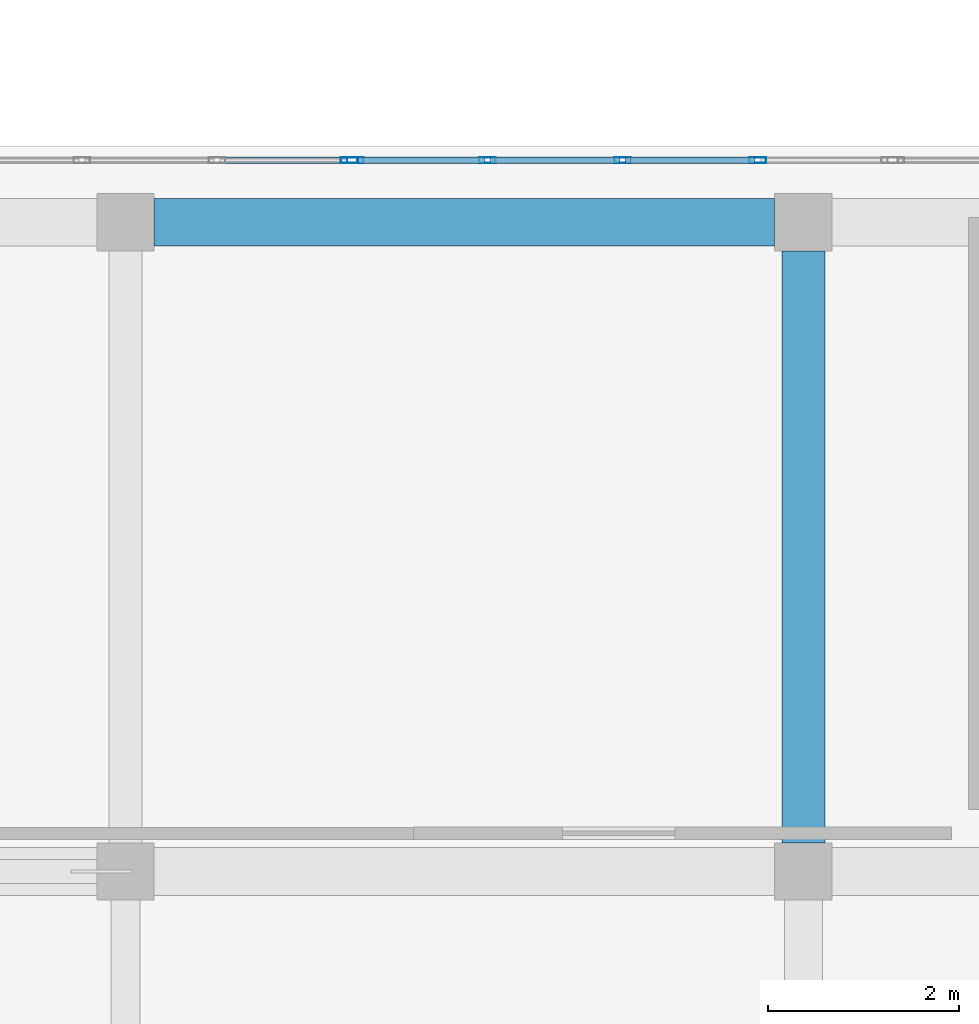
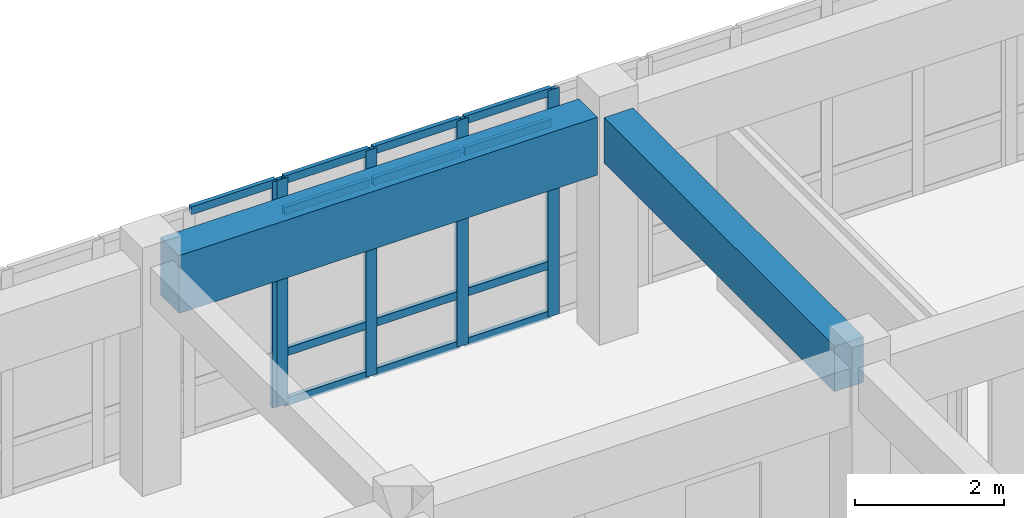
# One storey, part 9 of 52: 18 members, 2 beams, 2 elements without a shape of their own.
"""IFC4 building model written with IfcOpenShell, lengths in metres."""

from ifc_helpers import new_model, si_unit, direction, frame, origin, origin_2d, place, context, subcontext, project, spatial, rectangle, hollow_rectangle, extrude, material, layer, layer_set, material_profile, profile_set, type_object, element, aggregate, save


model = new_model("IFC4")

# Units and contexts
model_context = context("Model", 3, precision=1e-05, world=origin(), true_north=direction((0.0, 1.0)))
body_context = subcontext(model_context, "Body", "Model", "MODEL_VIEW")
ifc_project = project(units=[si_unit("LENGTHUNIT", "METRE"), si_unit("AREAUNIT", "SQUARE_METRE"), si_unit("VOLUMEUNIT", "CUBIC_METRE"), si_unit("PLANEANGLEUNIT", "RADIAN"), si_unit("MASSUNIT", "GRAM", prefix="KILO")], contexts=[model_context])

# Site, building, storey
site_placement = place(None, origin())
site = spatial("IfcSite", under=ifc_project, at=site_placement, CompositionType="ELEMENT")
building_placement = place(site_placement, origin())
building = spatial("IfcBuilding", under=site, at=building_placement, Name="Valcora Specialist Clinic", CompositionType="ELEMENT")
storey_placement = place(building_placement, frame((0.0, 0.0, 17.679931640625)))
storey = spatial("IfcBuildingStorey", under=building, at=storey_placement, Name="L04", CompositionType="ELEMENT", Elevation=17.679931640625)

# Beams
ifc_material_1 = material(Name="Concrete C40/50", Category="concrete")
ifc_material_profile_1 = material_profile(ifc_material_1, rectangle(XDim=0.449951171875, YDim=0.75, at=origin_2d()), Name="RC-BM-450X750")
ifc_profile_set_1 = profile_set([ifc_material_profile_1], Name="Concrete C40/50")
beam_type_1 = type_object("IfcBeamType", Name="TY-BM-RC450X750", PredefinedType="BEAM", material=ifc_profile_set_1)
beam_1_placement = place(storey_placement, frame((16.199951171875, 15.5, 3.344970703125), z_axis=(0.0, 1.0, 0.0), x_axis=(-1.0, 0.0, 0.0)))
element("IfcBeam", 1, at=beam_1_placement, inside=storey, type_object=beam_type_1, Name="Beam BM-L04-1101", PredefinedType="BEAM", context=body_context, shape_type="SweptSolid", body=[
    extrude(rectangle(XDim=0.449951171875, YDim=0.75, at=origin_2d()), origin(), (0.0, 0.0, 1.0), 6.199951171875),
])
ifc_material_profile_2 = material_profile(ifc_material_1, rectangle(XDim=0.5, YDim=0.949951171875, at=origin_2d()), Name="RC-BM-500X950")
ifc_profile_set_2 = profile_set([ifc_material_profile_2], Name="Concrete C40/50")
beam_type_2 = type_object("IfcBeamType", Name="TY-BM-TR500X950", PredefinedType="BEAM", material=ifc_profile_set_2)
beam_2_placement = place(storey_placement, frame((9.39990234375, 22.0, 3.2451171875), z_axis=(1.0, 0.0, 0.0), x_axis=(0.0, 1.0, 0.0)))
element("IfcBeam", 2, at=beam_2_placement, inside=storey, type_object=beam_type_2, Name="Beam BM-L04-1090", PredefinedType="BEAM", context=body_context, shape_type="SweptSolid", body=[
    extrude(rectangle(XDim=0.5, YDim=0.949951171875, at=origin_2d()), origin(), (0.0, 0.0, 1.0), 6.5),
])

# Curtain wall, member
ifc_material_2 = material(Name="Anodized Bronze Aluminium 6063-T6", Category="aluminium")
ifc_layer = layer(ifc_material_2, 0.175048828125)
ifc_layer_set = layer_set([ifc_layer], Name="Anodized Bronze Aluminium 6063-T6")
curtain_wall_type = type_object("IfcCurtainWallType", Name="TY-CW-V5F15", PredefinedType="NOTDEFINED", material=ifc_layer_set)
curtain_wall_1_placement = place(storey_placement, origin())
curtain_wall_1 = element("IfcCurtainWall", 3, at=curtain_wall_1_placement, inside=storey, type_object=curtain_wall_type, Name="Curtain wall CW-L04-168", PredefinedType="NOTDEFINED")
ifc_material_profile_3 = material_profile(ifc_material_2, hollow_rectangle(XDim=0.06494140625, YDim=0.175048828125, WallThickness=0.00390625, at=origin_2d()), Name="AL-MUL-65X175")
ifc_profile_set_3 = profile_set([ifc_material_profile_3], Name="Anodized Bronze Aluminium 6063-T6")
member_type_1 = type_object("IfcMemberType", Name="TY-CWM-65X175", PredefinedType="MULLION", material=ifc_profile_set_3)
member_1_placement = place(storey_placement, frame((11.4423828125, 22.64990234375, 0.0), z_axis=(0.0, 0.0, 1.0), x_axis=(0.0, 1.0, 0.0)))
member_1 = element("IfcMember", 4, at=member_1_placement, type_object=member_type_1, Name="CW-V5F-15 mullion 5", PredefinedType="MULLION", context=body_context, shape_type="SweptSolid", body=[
    extrude(hollow_rectangle(XDim=0.06494140625, YDim=0.175048828125, WallThickness=0.00390625, at=origin_2d()), origin(), (0.0, 0.0, 1.0), 3.719970703125),
])

# Curtain wall, members
curtain_wall_2_placement = place(storey_placement, origin())
curtain_wall_2 = element("IfcCurtainWall", 5, at=curtain_wall_2_placement, inside=storey, type_object=curtain_wall_type, Name="Curtain wall CW-L04-169", PredefinedType="NOTDEFINED")
member_2_placement = place(storey_placement, frame((11.507568359375, 22.64990234375, 0.0), z_axis=(0.0, 0.0, 1.0), x_axis=(0.0, 1.0, 0.0)))
member_2 = element("IfcMember", 6, at=member_2_placement, type_object=member_type_1, Name="CW-V5F-15 mullion 1", PredefinedType="MULLION", context=body_context, shape_type="SweptSolid", body=[
    extrude(hollow_rectangle(XDim=0.06494140625, YDim=0.175048828125, WallThickness=0.00390625, at=origin_2d()), origin(), (0.0, 0.0, 1.0), 3.719970703125),
])
member_3_placement = place(storey_placement, frame((12.890625, 22.64990234375, 0.0), z_axis=(0.0, 0.0, 1.0), x_axis=(0.0, 1.0, 0.0)))
member_3 = element("IfcMember", 7, at=member_3_placement, type_object=member_type_1, Name="CW-V5F-15 mullion 2", PredefinedType="MULLION", context=body_context, shape_type="SweptSolid", body=[
    extrude(hollow_rectangle(XDim=0.06494140625, YDim=0.175048828125, WallThickness=0.00390625, at=origin_2d()), origin(), (0.0, 0.0, 1.0), 3.719970703125),
])
member_4_placement = place(storey_placement, frame((14.30615234375, 22.64990234375, 0.0), z_axis=(0.0, 0.0, 1.0), x_axis=(0.0, 1.0, 0.0)))
member_4 = element("IfcMember", 8, at=member_4_placement, type_object=member_type_1, Name="CW-V5F-15 mullion 3", PredefinedType="MULLION", context=body_context, shape_type="SweptSolid", body=[
    extrude(hollow_rectangle(XDim=0.06494140625, YDim=0.175048828125, WallThickness=0.00390625, at=origin_2d()), origin(), (0.0, 0.0, 1.0), 3.719970703125),
])
member_5_placement = place(storey_placement, frame((15.721923828125, 22.64990234375, 0.0), z_axis=(0.0, 0.0, 1.0), x_axis=(0.0, 1.0, 0.0)))
member_5 = element("IfcMember", 9, at=member_5_placement, type_object=member_type_1, Name="CW-V5F-15 mullion 4", PredefinedType="MULLION", context=body_context, shape_type="SweptSolid", body=[
    extrude(hollow_rectangle(XDim=0.06494140625, YDim=0.175048828125, WallThickness=0.00390625, at=origin_2d()), origin(), (0.0, 0.0, 1.0), 3.719970703125),
])

# Member
ifc_material_profile_4 = material_profile(ifc_material_2, hollow_rectangle(XDim=0.06494140625, YDim=0.1298828125, WallThickness=0.00390625, at=origin_2d()), Name="AL-TRN-65X130")
ifc_profile_set_4 = profile_set([ifc_material_profile_4], Name="Anodized Bronze Aluminium 6063-T6")
member_type_2 = type_object("IfcMemberType", Name="TY-CWT-65X130", PredefinedType="USERDEFINED", material=ifc_profile_set_4)
member_6_placement = place(storey_placement, frame((10.091796875, 22.64990234375, 3.6875), z_axis=(1.0, 0.0, 0.0), x_axis=(0.0, 1.0, 0.0)))
member_6 = element("IfcMember", 10, at=member_6_placement, type_object=member_type_2, Name="CW-V5F-15 transom 4.4", ObjectType="TRANSOM", PredefinedType="USERDEFINED", context=body_context, shape_type="SweptSolid", body=[
    extrude(hollow_rectangle(XDim=0.06494140625, YDim=0.1298828125, WallThickness=0.00390625, at=origin_2d()), origin(), (0.0, 0.0, 1.0), 1.318115234375),
])

aggregate(curtain_wall_1, [member_1, member_6])

member_7_placement = place(storey_placement, frame((11.5400390625, 22.64990234375, 0.032470703125), z_axis=(1.0, 0.0, 0.0), x_axis=(0.0, 1.0, 0.0)))
member_7 = element("IfcMember", 11, at=member_7_placement, type_object=member_type_2, Name="CW-V5F-15 transom 1.1", ObjectType="TRANSOM", PredefinedType="USERDEFINED", context=body_context, shape_type="SweptSolid", body=[
    extrude(hollow_rectangle(XDim=0.06494140625, YDim=0.1298828125, WallThickness=0.00390625, at=origin_2d()), origin(), (0.0, 0.0, 1.0), 1.318115234375),
])

member_8_placement = place(storey_placement, frame((11.5400390625, 22.64990234375, 0.85009765625), z_axis=(1.0, 0.0, 0.0), x_axis=(0.0, 1.0, 0.0)))
member_8 = element("IfcMember", 12, at=member_8_placement, type_object=member_type_2, Name="CW-V5F-15 transom 1.2", ObjectType="TRANSOM", PredefinedType="USERDEFINED", context=body_context, shape_type="SweptSolid", body=[
    extrude(hollow_rectangle(XDim=0.06494140625, YDim=0.1298828125, WallThickness=0.00390625, at=origin_2d()), origin(), (0.0, 0.0, 1.0), 1.318115234375),
])

member_9_placement = place(storey_placement, frame((11.5400390625, 22.64990234375, 3.170166015625), z_axis=(1.0, 0.0, 0.0), x_axis=(0.0, 1.0, 0.0)))
member_9 = element("IfcMember", 13, at=member_9_placement, type_object=member_type_2, Name="CW-V5F-15 transom 1.3", ObjectType="TRANSOM", PredefinedType="USERDEFINED", context=body_context, shape_type="SweptSolid", body=[
    extrude(hollow_rectangle(XDim=0.06494140625, YDim=0.1298828125, WallThickness=0.00390625, at=origin_2d()), origin(), (0.0, 0.0, 1.0), 1.318115234375),
])

member_10_placement = place(storey_placement, frame((11.5400390625, 22.64990234375, 3.6875), z_axis=(1.0, 0.0, 0.0), x_axis=(0.0, 1.0, 0.0)))
member_10 = element("IfcMember", 14, at=member_10_placement, type_object=member_type_2, Name="CW-V5F-15 transom 1.4", ObjectType="TRANSOM", PredefinedType="USERDEFINED", context=body_context, shape_type="SweptSolid", body=[
    extrude(hollow_rectangle(XDim=0.06494140625, YDim=0.1298828125, WallThickness=0.00390625, at=origin_2d()), origin(), (0.0, 0.0, 1.0), 1.318115234375),
])

member_11_placement = place(storey_placement, frame((12.923095703125, 22.64990234375, 0.032470703125), z_axis=(1.0, 0.0, 0.0), x_axis=(0.0, 1.0, 0.0)))
member_11 = element("IfcMember", 15, at=member_11_placement, type_object=member_type_2, Name="CW-V5F-15 transom 2.1", ObjectType="TRANSOM", PredefinedType="USERDEFINED", context=body_context, shape_type="SweptSolid", body=[
    extrude(hollow_rectangle(XDim=0.06494140625, YDim=0.1298828125, WallThickness=0.00390625, at=origin_2d()), origin(), (0.0, 0.0, 1.0), 1.3505859375),
])

member_12_placement = place(storey_placement, frame((12.923095703125, 22.64990234375, 0.85009765625), z_axis=(1.0, 0.0, 0.0), x_axis=(0.0, 1.0, 0.0)))
member_12 = element("IfcMember", 16, at=member_12_placement, type_object=member_type_2, Name="CW-V5F-15 transom 2.2", ObjectType="TRANSOM", PredefinedType="USERDEFINED", context=body_context, shape_type="SweptSolid", body=[
    extrude(hollow_rectangle(XDim=0.06494140625, YDim=0.1298828125, WallThickness=0.00390625, at=origin_2d()), origin(), (0.0, 0.0, 1.0), 1.3505859375),
])

member_13_placement = place(storey_placement, frame((12.923095703125, 22.64990234375, 3.170166015625), z_axis=(1.0, 0.0, 0.0), x_axis=(0.0, 1.0, 0.0)))
member_13 = element("IfcMember", 17, at=member_13_placement, type_object=member_type_2, Name="CW-V5F-15 transom 2.3", ObjectType="TRANSOM", PredefinedType="USERDEFINED", context=body_context, shape_type="SweptSolid", body=[
    extrude(hollow_rectangle(XDim=0.06494140625, YDim=0.1298828125, WallThickness=0.00390625, at=origin_2d()), origin(), (0.0, 0.0, 1.0), 1.3505859375),
])

member_14_placement = place(storey_placement, frame((12.923095703125, 22.64990234375, 3.6875), z_axis=(1.0, 0.0, 0.0), x_axis=(0.0, 1.0, 0.0)))
member_14 = element("IfcMember", 18, at=member_14_placement, type_object=member_type_2, Name="CW-V5F-15 transom 2.4", ObjectType="TRANSOM", PredefinedType="USERDEFINED", context=body_context, shape_type="SweptSolid", body=[
    extrude(hollow_rectangle(XDim=0.06494140625, YDim=0.1298828125, WallThickness=0.00390625, at=origin_2d()), origin(), (0.0, 0.0, 1.0), 1.3505859375),
])

member_15_placement = place(storey_placement, frame((14.3388671875, 22.64990234375, 0.032470703125), z_axis=(1.0, 0.0, 0.0), x_axis=(0.0, 1.0, 0.0)))
member_15 = element("IfcMember", 19, at=member_15_placement, type_object=member_type_2, Name="CW-V5F-15 transom 3.1", ObjectType="TRANSOM", PredefinedType="USERDEFINED", context=body_context, shape_type="SweptSolid", body=[
    extrude(hollow_rectangle(XDim=0.06494140625, YDim=0.1298828125, WallThickness=0.00390625, at=origin_2d()), origin(), (0.0, 0.0, 1.0), 1.3505859375),
])

member_16_placement = place(storey_placement, frame((14.3388671875, 22.64990234375, 0.85009765625), z_axis=(1.0, 0.0, 0.0), x_axis=(0.0, 1.0, 0.0)))
member_16 = element("IfcMember", 20, at=member_16_placement, type_object=member_type_2, Name="CW-V5F-15 transom 3.2", ObjectType="TRANSOM", PredefinedType="USERDEFINED", context=body_context, shape_type="SweptSolid", body=[
    extrude(hollow_rectangle(XDim=0.06494140625, YDim=0.1298828125, WallThickness=0.00390625, at=origin_2d()), origin(), (0.0, 0.0, 1.0), 1.3505859375),
])

member_17_placement = place(storey_placement, frame((14.3388671875, 22.64990234375, 3.170166015625), z_axis=(1.0, 0.0, 0.0), x_axis=(0.0, 1.0, 0.0)))
member_17 = element("IfcMember", 21, at=member_17_placement, type_object=member_type_2, Name="CW-V5F-15 transom 3.3", ObjectType="TRANSOM", PredefinedType="USERDEFINED", context=body_context, shape_type="SweptSolid", body=[
    extrude(hollow_rectangle(XDim=0.06494140625, YDim=0.1298828125, WallThickness=0.00390625, at=origin_2d()), origin(), (0.0, 0.0, 1.0), 1.3505859375),
])

member_18_placement = place(storey_placement, frame((14.3388671875, 22.64990234375, 3.6875), z_axis=(1.0, 0.0, 0.0), x_axis=(0.0, 1.0, 0.0)))
member_18 = element("IfcMember", 22, at=member_18_placement, type_object=member_type_2, Name="CW-V5F-15 transom 3.4", ObjectType="TRANSOM", PredefinedType="USERDEFINED", context=body_context, shape_type="SweptSolid", body=[
    extrude(hollow_rectangle(XDim=0.06494140625, YDim=0.1298828125, WallThickness=0.00390625, at=origin_2d()), origin(), (0.0, 0.0, 1.0), 1.3505859375),
])

aggregate(curtain_wall_2, [member_2, member_3, member_4, member_5, member_7, member_8, member_9, member_10, member_11, member_12, member_13, member_14, member_15, member_16, member_17, member_18])

save(model, "model.ifc")
